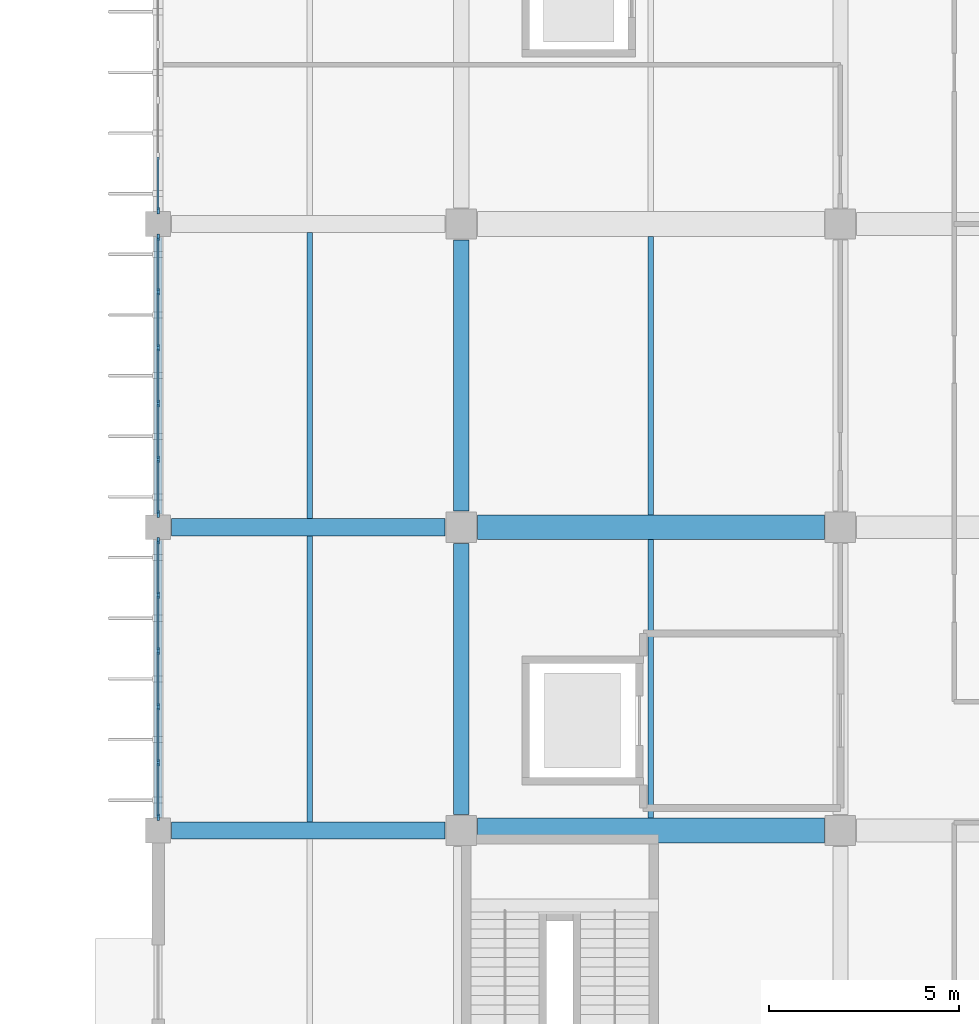
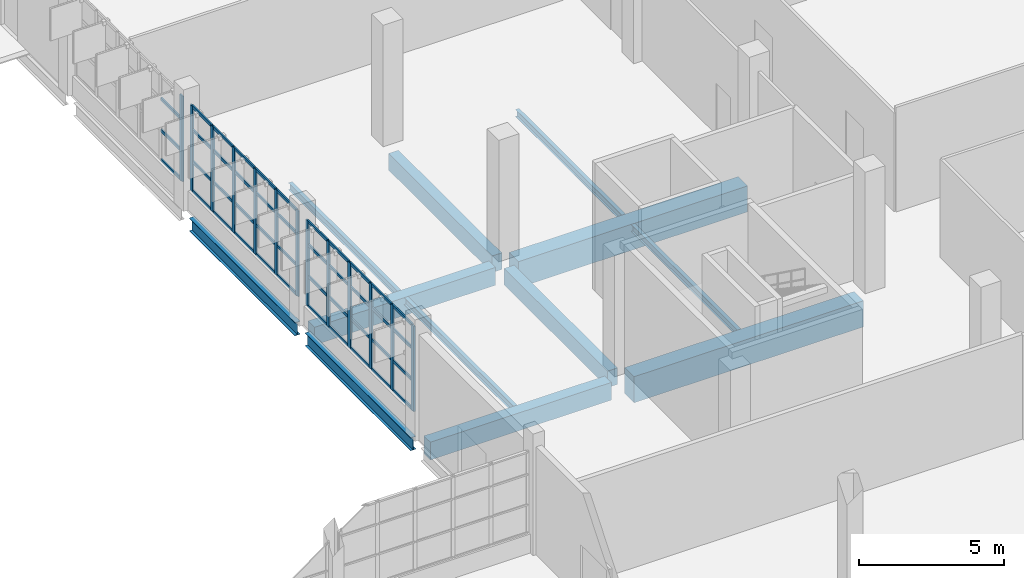
# One storey, part 44 of 103: 56 members, 12 beams, 3 elements without a shape of their own.
"""IFC4 building model written with IfcOpenShell, lengths in metres."""

from ifc_helpers import new_model, si_unit, direction, frame, origin, origin_2d, place, context, subcontext, project, spatial, rectangle, i_section, extrude, material, layer, layer_set, material_profile, profile_set, type_object, element, aggregate, save


model = new_model("IFC4")

# Units and contexts
model_context = context("Model", 3, precision=1e-05, world=origin(), true_north=direction((0.0, 1.0)))
body_context = subcontext(model_context, "Body", "Model", "MODEL_VIEW")
ifc_project = project(units=[si_unit("LENGTHUNIT", "METRE"), si_unit("AREAUNIT", "SQUARE_METRE"), si_unit("VOLUMEUNIT", "CUBIC_METRE"), si_unit("PLANEANGLEUNIT", "RADIAN"), si_unit("MASSUNIT", "GRAM", prefix="KILO")], contexts=[model_context])

# Site, building, storey
site_placement = place(None, origin())
site = spatial("IfcSite", under=ifc_project, at=site_placement, CompositionType="ELEMENT")
building_placement = place(site_placement, origin())
building = spatial("IfcBuilding", under=site, at=building_placement, Name="Drelvana Railside Aquatics Centre", CompositionType="ELEMENT")
storey_placement = place(building_placement, origin())
storey = spatial("IfcBuildingStorey", under=building, at=storey_placement, Name="L00", CompositionType="ELEMENT", Elevation=0.0)

# Curtain wall, members
ifc_material_1 = material(Name="Bronze-anodised aluminium curtain wall", Category="aluminium")
ifc_layer = layer(ifc_material_1, 0.175048828125, Name="Bronze-anodised aluminium curtain wall")
ifc_layer_set = layer_set([ifc_layer], Name="Bronze-anodised aluminium curtain wall")
curtain_wall_type = type_object("IfcCurtainWallType", Name="CW-Z6-WING", PredefinedType="NOTDEFINED", material=ifc_layer_set)
curtain_wall_1_placement = place(storey_placement, origin())
curtain_wall_1 = element("IfcCurtainWall", 1, at=curtain_wall_1_placement, inside=storey, type_object=curtain_wall_type, Name="Curtain wall CW-06-140", PredefinedType="NOTDEFINED")
ifc_material_2 = material(Name="Bronze-anodised aluminium 6063-T6", Category="aluminium")
ifc_material_profile_1 = material_profile(ifc_material_2, rectangle(XDim=0.06494140625, YDim=0.175048828125, at=origin_2d()), Name="ALU-M 65x175")
ifc_profile_set_1 = profile_set([ifc_material_profile_1], Name="Bronze-anodised aluminium 6063-T6")
member_type_1 = type_object("IfcMemberType", Name="CW-Z6-WING-MUL", PredefinedType="MULLION", material=ifc_profile_set_1)
member_1_placement = place(storey_placement, frame((144.0, 32.3515625, 0.7939453125), z_axis=(0.0, 0.0, 1.0), x_axis=(-1.0, 0.0, 0.0)))
member_1 = element("IfcMember", 2, at=member_1_placement, type_object=member_type_1, Name="CW-06 mullion 1", PredefinedType="MULLION", context=body_context, shape_type="SweptSolid", body=[
    extrude(rectangle(XDim=0.06494140625, YDim=0.175048828125, at=origin_2d()), origin(), (0.0, 0.0, 1.0), 3.60595703125),
])
member_2_placement = place(storey_placement, frame((144.0, 33.79150390625, 0.7939453125), z_axis=(0.0, 0.0, 1.0), x_axis=(-1.0, 0.0, 0.0)))
member_2 = element("IfcMember", 3, at=member_2_placement, type_object=member_type_1, Name="CW-06 mullion 2", PredefinedType="MULLION", context=body_context, shape_type="SweptSolid", body=[
    extrude(rectangle(XDim=0.06494140625, YDim=0.175048828125, at=origin_2d()), origin(), (0.0, 0.0, 1.0), 3.60595703125),
])
member_3_placement = place(storey_placement, frame((144.0, 35.263916015625, 0.7939453125), z_axis=(0.0, 0.0, 1.0), x_axis=(-1.0, 0.0, 0.0)))
member_3 = element("IfcMember", 4, at=member_3_placement, type_object=member_type_1, Name="CW-06 mullion 3", PredefinedType="MULLION", context=body_context, shape_type="SweptSolid", body=[
    extrude(rectangle(XDim=0.06494140625, YDim=0.175048828125, at=origin_2d()), origin(), (0.0, 0.0, 1.0), 3.60595703125),
])
member_4_placement = place(storey_placement, frame((144.0, 36.736083984375, 0.7939453125), z_axis=(0.0, 0.0, 1.0), x_axis=(-1.0, 0.0, 0.0)))
member_4 = element("IfcMember", 5, at=member_4_placement, type_object=member_type_1, Name="CW-06 mullion 4", PredefinedType="MULLION", context=body_context, shape_type="SweptSolid", body=[
    extrude(rectangle(XDim=0.06494140625, YDim=0.175048828125, at=origin_2d()), origin(), (0.0, 0.0, 1.0), 3.60595703125),
])
member_5_placement = place(storey_placement, frame((144.0, 38.20849609375, 0.7939453125), z_axis=(0.0, 0.0, 1.0), x_axis=(-1.0, 0.0, 0.0)))
member_5 = element("IfcMember", 6, at=member_5_placement, type_object=member_type_1, Name="CW-06 mullion 5", PredefinedType="MULLION", context=body_context, shape_type="SweptSolid", body=[
    extrude(rectangle(XDim=0.06494140625, YDim=0.175048828125, at=origin_2d()), origin(), (0.0, 0.0, 1.0), 3.60595703125),
])
member_6_placement = place(storey_placement, frame((144.0, 39.6484375, 0.7939453125), z_axis=(0.0, 0.0, 1.0), x_axis=(-1.0, 0.0, 0.0)))
member_6 = element("IfcMember", 7, at=member_6_placement, type_object=member_type_1, Name="CW-06 mullion 6", PredefinedType="MULLION", context=body_context, shape_type="SweptSolid", body=[
    extrude(rectangle(XDim=0.06494140625, YDim=0.175048828125, at=origin_2d()), origin(), (0.0, 0.0, 1.0), 3.60595703125),
])

curtain_wall_2_placement = place(storey_placement, origin())
curtain_wall_2 = element("IfcCurtainWall", 8, at=curtain_wall_2_placement, inside=storey, type_object=curtain_wall_type, Name="Curtain wall CW-06-144", PredefinedType="NOTDEFINED")
member_7_placement = place(storey_placement, frame((144.0, 40.3515625, 0.7939453125), z_axis=(0.0, 0.0, 1.0), x_axis=(-1.0, 0.0, 0.0)))
member_7 = element("IfcMember", 9, at=member_7_placement, type_object=member_type_1, Name="CW-06 mullion 1", PredefinedType="MULLION", context=body_context, shape_type="SweptSolid", body=[
    extrude(rectangle(XDim=0.06494140625, YDim=0.175048828125, at=origin_2d()), origin(), (0.0, 0.0, 1.0), 3.60595703125),
])
member_8_placement = place(storey_placement, frame((144.0, 41.79150390625, 0.7939453125), z_axis=(0.0, 0.0, 1.0), x_axis=(-1.0, 0.0, 0.0)))
member_8 = element("IfcMember", 10, at=member_8_placement, type_object=member_type_1, Name="CW-06 mullion 2", PredefinedType="MULLION", context=body_context, shape_type="SweptSolid", body=[
    extrude(rectangle(XDim=0.06494140625, YDim=0.175048828125, at=origin_2d()), origin(), (0.0, 0.0, 1.0), 3.60595703125),
])
member_9_placement = place(storey_placement, frame((144.0, 43.263916015625, 0.7939453125), z_axis=(0.0, 0.0, 1.0), x_axis=(-1.0, 0.0, 0.0)))
member_9 = element("IfcMember", 11, at=member_9_placement, type_object=member_type_1, Name="CW-06 mullion 3", PredefinedType="MULLION", context=body_context, shape_type="SweptSolid", body=[
    extrude(rectangle(XDim=0.06494140625, YDim=0.175048828125, at=origin_2d()), origin(), (0.0, 0.0, 1.0), 3.60595703125),
])
member_10_placement = place(storey_placement, frame((144.0, 44.736083984375, 0.7939453125), z_axis=(0.0, 0.0, 1.0), x_axis=(-1.0, 0.0, 0.0)))
member_10 = element("IfcMember", 12, at=member_10_placement, type_object=member_type_1, Name="CW-06 mullion 4", PredefinedType="MULLION", context=body_context, shape_type="SweptSolid", body=[
    extrude(rectangle(XDim=0.06494140625, YDim=0.175048828125, at=origin_2d()), origin(), (0.0, 0.0, 1.0), 3.60595703125),
])
member_11_placement = place(storey_placement, frame((144.0, 46.20849609375, 0.7939453125), z_axis=(0.0, 0.0, 1.0), x_axis=(-1.0, 0.0, 0.0)))
member_11 = element("IfcMember", 13, at=member_11_placement, type_object=member_type_1, Name="CW-06 mullion 5", PredefinedType="MULLION", context=body_context, shape_type="SweptSolid", body=[
    extrude(rectangle(XDim=0.06494140625, YDim=0.175048828125, at=origin_2d()), origin(), (0.0, 0.0, 1.0), 3.60595703125),
])
member_12_placement = place(storey_placement, frame((144.0, 47.6484375, 0.7939453125), z_axis=(0.0, 0.0, 1.0), x_axis=(-1.0, 0.0, 0.0)))
member_12 = element("IfcMember", 14, at=member_12_placement, type_object=member_type_1, Name="CW-06 mullion 6", PredefinedType="MULLION", context=body_context, shape_type="SweptSolid", body=[
    extrude(rectangle(XDim=0.06494140625, YDim=0.175048828125, at=origin_2d()), origin(), (0.0, 0.0, 1.0), 3.60595703125),
])

# Curtain wall, member
curtain_wall_3_placement = place(storey_placement, origin())
curtain_wall_3 = element("IfcCurtainWall", 15, at=curtain_wall_3_placement, inside=storey, type_object=curtain_wall_type, Name="Curtain wall CW-06-148", PredefinedType="NOTDEFINED")
member_13_placement = place(storey_placement, frame((144.0, 48.3515625, 0.7939453125), z_axis=(0.0, 0.0, 1.0), x_axis=(-1.0, 0.0, 0.0)))
member_13 = element("IfcMember", 16, at=member_13_placement, type_object=member_type_1, Name="CW-06 mullion 1", PredefinedType="MULLION", context=body_context, shape_type="SweptSolid", body=[
    extrude(rectangle(XDim=0.06494140625, YDim=0.175048828125, at=origin_2d()), origin(), (0.0, 0.0, 1.0), 3.60595703125),
])

# Member
ifc_material_profile_2 = material_profile(ifc_material_2, rectangle(XDim=0.1201171875, YDim=0.06005859375, at=origin_2d()), Name="ALU-T 60x120")
ifc_profile_set_2 = profile_set([ifc_material_profile_2], Name="Bronze-anodised aluminium 6063-T6")
member_type_2 = type_object("IfcMemberType", Name="CW-Z6-WING-TRN", PredefinedType="USERDEFINED", material=ifc_profile_set_2)
member_14_placement = place(storey_placement, frame((144.0, 32.37890625, 0.823974609375), z_axis=(0.0, 1.0, 0.0), x_axis=(0.0, 0.0, 1.0)))
member_14 = element("IfcMember", 17, at=member_14_placement, type_object=member_type_2, Name="CW-06 transom 1.1", ObjectType="TRANSOM", PredefinedType="USERDEFINED", context=body_context, shape_type="SweptSolid", body=[
    extrude(rectangle(XDim=0.1201171875, YDim=0.06005859375, at=origin_2d()), origin(), (0.0, 0.0, 1.0), 1.385009765625),
])

member_15_placement = place(storey_placement, frame((144.0, 32.37890625, 2.055908203125), z_axis=(0.0, 1.0, 0.0), x_axis=(0.0, 0.0, 1.0)))
member_15 = element("IfcMember", 18, at=member_15_placement, type_object=member_type_2, Name="CW-06 transom 1.2", ObjectType="TRANSOM", PredefinedType="USERDEFINED", context=body_context, shape_type="SweptSolid", body=[
    extrude(rectangle(XDim=0.1201171875, YDim=0.06005859375, at=origin_2d()), origin(), (0.0, 0.0, 1.0), 1.385009765625),
])

member_16_placement = place(storey_placement, frame((144.0, 32.37890625, 3.389892578125), z_axis=(0.0, 1.0, 0.0), x_axis=(0.0, 0.0, 1.0)))
member_16 = element("IfcMember", 19, at=member_16_placement, type_object=member_type_2, Name="CW-06 transom 1.3", ObjectType="TRANSOM", PredefinedType="USERDEFINED", context=body_context, shape_type="SweptSolid", body=[
    extrude(rectangle(XDim=0.1201171875, YDim=0.06005859375, at=origin_2d()), origin(), (0.0, 0.0, 1.0), 1.385009765625),
])

member_17_placement = place(storey_placement, frame((144.0, 32.37890625, 4.3701171875), z_axis=(0.0, 1.0, 0.0), x_axis=(0.0, 0.0, 1.0)))
member_17 = element("IfcMember", 20, at=member_17_placement, type_object=member_type_2, Name="CW-06 transom 1.4", ObjectType="TRANSOM", PredefinedType="USERDEFINED", context=body_context, shape_type="SweptSolid", body=[
    extrude(rectangle(XDim=0.1201171875, YDim=0.06005859375, at=origin_2d()), origin(), (0.0, 0.0, 1.0), 1.385009765625),
])

member_18_placement = place(storey_placement, frame((144.0, 33.81884765625, 0.823974609375), z_axis=(0.0, 1.0, 0.0), x_axis=(0.0, 0.0, 1.0)))
member_18 = element("IfcMember", 21, at=member_18_placement, type_object=member_type_2, Name="CW-06 transom 2.1", ObjectType="TRANSOM", PredefinedType="USERDEFINED", context=body_context, shape_type="SweptSolid", body=[
    extrude(rectangle(XDim=0.1201171875, YDim=0.06005859375, at=origin_2d()), origin(), (0.0, 0.0, 1.0), 1.41748046875),
])

member_19_placement = place(storey_placement, frame((144.0, 33.81884765625, 2.055908203125), z_axis=(0.0, 1.0, 0.0), x_axis=(0.0, 0.0, 1.0)))
member_19 = element("IfcMember", 22, at=member_19_placement, type_object=member_type_2, Name="CW-06 transom 2.2", ObjectType="TRANSOM", PredefinedType="USERDEFINED", context=body_context, shape_type="SweptSolid", body=[
    extrude(rectangle(XDim=0.1201171875, YDim=0.06005859375, at=origin_2d()), origin(), (0.0, 0.0, 1.0), 1.41748046875),
])

member_20_placement = place(storey_placement, frame((144.0, 33.81884765625, 3.389892578125), z_axis=(0.0, 1.0, 0.0), x_axis=(0.0, 0.0, 1.0)))
member_20 = element("IfcMember", 23, at=member_20_placement, type_object=member_type_2, Name="CW-06 transom 2.3", ObjectType="TRANSOM", PredefinedType="USERDEFINED", context=body_context, shape_type="SweptSolid", body=[
    extrude(rectangle(XDim=0.1201171875, YDim=0.06005859375, at=origin_2d()), origin(), (0.0, 0.0, 1.0), 1.41748046875),
])

member_21_placement = place(storey_placement, frame((144.0, 33.81884765625, 4.3701171875), z_axis=(0.0, 1.0, 0.0), x_axis=(0.0, 0.0, 1.0)))
member_21 = element("IfcMember", 24, at=member_21_placement, type_object=member_type_2, Name="CW-06 transom 2.4", ObjectType="TRANSOM", PredefinedType="USERDEFINED", context=body_context, shape_type="SweptSolid", body=[
    extrude(rectangle(XDim=0.1201171875, YDim=0.06005859375, at=origin_2d()), origin(), (0.0, 0.0, 1.0), 1.41748046875),
])

member_22_placement = place(storey_placement, frame((144.0, 35.291259765625, 0.823974609375), z_axis=(0.0, 1.0, 0.0), x_axis=(0.0, 0.0, 1.0)))
member_22 = element("IfcMember", 25, at=member_22_placement, type_object=member_type_2, Name="CW-06 transom 3.1", ObjectType="TRANSOM", PredefinedType="USERDEFINED", context=body_context, shape_type="SweptSolid", body=[
    extrude(rectangle(XDim=0.1201171875, YDim=0.06005859375, at=origin_2d()), origin(), (0.0, 0.0, 1.0), 1.41748046875),
])

member_23_placement = place(storey_placement, frame((144.0, 35.291259765625, 2.055908203125), z_axis=(0.0, 1.0, 0.0), x_axis=(0.0, 0.0, 1.0)))
member_23 = element("IfcMember", 26, at=member_23_placement, type_object=member_type_2, Name="CW-06 transom 3.2", ObjectType="TRANSOM", PredefinedType="USERDEFINED", context=body_context, shape_type="SweptSolid", body=[
    extrude(rectangle(XDim=0.1201171875, YDim=0.06005859375, at=origin_2d()), origin(), (0.0, 0.0, 1.0), 1.41748046875),
])

member_24_placement = place(storey_placement, frame((144.0, 35.291259765625, 3.389892578125), z_axis=(0.0, 1.0, 0.0), x_axis=(0.0, 0.0, 1.0)))
member_24 = element("IfcMember", 27, at=member_24_placement, type_object=member_type_2, Name="CW-06 transom 3.3", ObjectType="TRANSOM", PredefinedType="USERDEFINED", context=body_context, shape_type="SweptSolid", body=[
    extrude(rectangle(XDim=0.1201171875, YDim=0.06005859375, at=origin_2d()), origin(), (0.0, 0.0, 1.0), 1.41748046875),
])

member_25_placement = place(storey_placement, frame((144.0, 35.291259765625, 4.3701171875), z_axis=(0.0, 1.0, 0.0), x_axis=(0.0, 0.0, 1.0)))
member_25 = element("IfcMember", 28, at=member_25_placement, type_object=member_type_2, Name="CW-06 transom 3.4", ObjectType="TRANSOM", PredefinedType="USERDEFINED", context=body_context, shape_type="SweptSolid", body=[
    extrude(rectangle(XDim=0.1201171875, YDim=0.06005859375, at=origin_2d()), origin(), (0.0, 0.0, 1.0), 1.41748046875),
])

member_26_placement = place(storey_placement, frame((144.0, 36.763671875, 0.823974609375), z_axis=(0.0, 1.0, 0.0), x_axis=(0.0, 0.0, 1.0)))
member_26 = element("IfcMember", 29, at=member_26_placement, type_object=member_type_2, Name="CW-06 transom 4.1", ObjectType="TRANSOM", PredefinedType="USERDEFINED", context=body_context, shape_type="SweptSolid", body=[
    extrude(rectangle(XDim=0.1201171875, YDim=0.06005859375, at=origin_2d()), origin(), (0.0, 0.0, 1.0), 1.41748046875),
])

member_27_placement = place(storey_placement, frame((144.0, 36.763671875, 2.055908203125), z_axis=(0.0, 1.0, 0.0), x_axis=(0.0, 0.0, 1.0)))
member_27 = element("IfcMember", 30, at=member_27_placement, type_object=member_type_2, Name="CW-06 transom 4.2", ObjectType="TRANSOM", PredefinedType="USERDEFINED", context=body_context, shape_type="SweptSolid", body=[
    extrude(rectangle(XDim=0.1201171875, YDim=0.06005859375, at=origin_2d()), origin(), (0.0, 0.0, 1.0), 1.41748046875),
])

member_28_placement = place(storey_placement, frame((144.0, 36.763671875, 3.389892578125), z_axis=(0.0, 1.0, 0.0), x_axis=(0.0, 0.0, 1.0)))
member_28 = element("IfcMember", 31, at=member_28_placement, type_object=member_type_2, Name="CW-06 transom 4.3", ObjectType="TRANSOM", PredefinedType="USERDEFINED", context=body_context, shape_type="SweptSolid", body=[
    extrude(rectangle(XDim=0.1201171875, YDim=0.06005859375, at=origin_2d()), origin(), (0.0, 0.0, 1.0), 1.41748046875),
])

member_29_placement = place(storey_placement, frame((144.0, 36.763671875, 4.3701171875), z_axis=(0.0, 1.0, 0.0), x_axis=(0.0, 0.0, 1.0)))
member_29 = element("IfcMember", 32, at=member_29_placement, type_object=member_type_2, Name="CW-06 transom 4.4", ObjectType="TRANSOM", PredefinedType="USERDEFINED", context=body_context, shape_type="SweptSolid", body=[
    extrude(rectangle(XDim=0.1201171875, YDim=0.06005859375, at=origin_2d()), origin(), (0.0, 0.0, 1.0), 1.41748046875),
])

member_30_placement = place(storey_placement, frame((144.0, 38.236083984375, 0.823974609375), z_axis=(0.0, 1.0, 0.0), x_axis=(0.0, 0.0, 1.0)))
member_30 = element("IfcMember", 33, at=member_30_placement, type_object=member_type_2, Name="CW-06 transom 5.1", ObjectType="TRANSOM", PredefinedType="USERDEFINED", context=body_context, shape_type="SweptSolid", body=[
    extrude(rectangle(XDim=0.1201171875, YDim=0.06005859375, at=origin_2d()), origin(), (0.0, 0.0, 1.0), 1.385009765625),
])

member_31_placement = place(storey_placement, frame((144.0, 38.236083984375, 2.055908203125), z_axis=(0.0, 1.0, 0.0), x_axis=(0.0, 0.0, 1.0)))
member_31 = element("IfcMember", 34, at=member_31_placement, type_object=member_type_2, Name="CW-06 transom 5.2", ObjectType="TRANSOM", PredefinedType="USERDEFINED", context=body_context, shape_type="SweptSolid", body=[
    extrude(rectangle(XDim=0.1201171875, YDim=0.06005859375, at=origin_2d()), origin(), (0.0, 0.0, 1.0), 1.385009765625),
])

member_32_placement = place(storey_placement, frame((144.0, 38.236083984375, 3.389892578125), z_axis=(0.0, 1.0, 0.0), x_axis=(0.0, 0.0, 1.0)))
member_32 = element("IfcMember", 35, at=member_32_placement, type_object=member_type_2, Name="CW-06 transom 5.3", ObjectType="TRANSOM", PredefinedType="USERDEFINED", context=body_context, shape_type="SweptSolid", body=[
    extrude(rectangle(XDim=0.1201171875, YDim=0.06005859375, at=origin_2d()), origin(), (0.0, 0.0, 1.0), 1.385009765625),
])

member_33_placement = place(storey_placement, frame((144.0, 38.236083984375, 4.3701171875), z_axis=(0.0, 1.0, 0.0), x_axis=(0.0, 0.0, 1.0)))
member_33 = element("IfcMember", 36, at=member_33_placement, type_object=member_type_2, Name="CW-06 transom 5.4", ObjectType="TRANSOM", PredefinedType="USERDEFINED", context=body_context, shape_type="SweptSolid", body=[
    extrude(rectangle(XDim=0.1201171875, YDim=0.06005859375, at=origin_2d()), origin(), (0.0, 0.0, 1.0), 1.385009765625),
])

aggregate(curtain_wall_1, [member_1, member_2, member_3, member_4, member_5, member_6, member_14, member_15, member_16, member_17, member_18, member_19, member_20, member_21, member_22, member_23, member_24, member_25, member_26, member_27, member_28, member_29, member_30, member_31, member_32, member_33])

member_34_placement = place(storey_placement, frame((144.0, 40.37890625, 0.823974609375), z_axis=(0.0, 1.0, 0.0), x_axis=(0.0, 0.0, 1.0)))
member_34 = element("IfcMember", 37, at=member_34_placement, type_object=member_type_2, Name="CW-06 transom 1.1", ObjectType="TRANSOM", PredefinedType="USERDEFINED", context=body_context, shape_type="SweptSolid", body=[
    extrude(rectangle(XDim=0.1201171875, YDim=0.06005859375, at=origin_2d()), origin(), (0.0, 0.0, 1.0), 1.385009765625),
])

member_35_placement = place(storey_placement, frame((144.0, 40.37890625, 2.055908203125), z_axis=(0.0, 1.0, 0.0), x_axis=(0.0, 0.0, 1.0)))
member_35 = element("IfcMember", 38, at=member_35_placement, type_object=member_type_2, Name="CW-06 transom 1.2", ObjectType="TRANSOM", PredefinedType="USERDEFINED", context=body_context, shape_type="SweptSolid", body=[
    extrude(rectangle(XDim=0.1201171875, YDim=0.06005859375, at=origin_2d()), origin(), (0.0, 0.0, 1.0), 1.385009765625),
])

member_36_placement = place(storey_placement, frame((144.0, 40.37890625, 3.389892578125), z_axis=(0.0, 1.0, 0.0), x_axis=(0.0, 0.0, 1.0)))
member_36 = element("IfcMember", 39, at=member_36_placement, type_object=member_type_2, Name="CW-06 transom 1.3", ObjectType="TRANSOM", PredefinedType="USERDEFINED", context=body_context, shape_type="SweptSolid", body=[
    extrude(rectangle(XDim=0.1201171875, YDim=0.06005859375, at=origin_2d()), origin(), (0.0, 0.0, 1.0), 1.385009765625),
])

member_37_placement = place(storey_placement, frame((144.0, 40.37890625, 4.3701171875), z_axis=(0.0, 1.0, 0.0), x_axis=(0.0, 0.0, 1.0)))
member_37 = element("IfcMember", 40, at=member_37_placement, type_object=member_type_2, Name="CW-06 transom 1.4", ObjectType="TRANSOM", PredefinedType="USERDEFINED", context=body_context, shape_type="SweptSolid", body=[
    extrude(rectangle(XDim=0.1201171875, YDim=0.06005859375, at=origin_2d()), origin(), (0.0, 0.0, 1.0), 1.385009765625),
])

member_38_placement = place(storey_placement, frame((144.0, 41.81884765625, 0.823974609375), z_axis=(0.0, 1.0, 0.0), x_axis=(0.0, 0.0, 1.0)))
member_38 = element("IfcMember", 41, at=member_38_placement, type_object=member_type_2, Name="CW-06 transom 2.1", ObjectType="TRANSOM", PredefinedType="USERDEFINED", context=body_context, shape_type="SweptSolid", body=[
    extrude(rectangle(XDim=0.1201171875, YDim=0.06005859375, at=origin_2d()), origin(), (0.0, 0.0, 1.0), 1.41748046875),
])

member_39_placement = place(storey_placement, frame((144.0, 41.81884765625, 2.055908203125), z_axis=(0.0, 1.0, 0.0), x_axis=(0.0, 0.0, 1.0)))
member_39 = element("IfcMember", 42, at=member_39_placement, type_object=member_type_2, Name="CW-06 transom 2.2", ObjectType="TRANSOM", PredefinedType="USERDEFINED", context=body_context, shape_type="SweptSolid", body=[
    extrude(rectangle(XDim=0.1201171875, YDim=0.06005859375, at=origin_2d()), origin(), (0.0, 0.0, 1.0), 1.41748046875),
])

member_40_placement = place(storey_placement, frame((144.0, 41.81884765625, 3.389892578125), z_axis=(0.0, 1.0, 0.0), x_axis=(0.0, 0.0, 1.0)))
member_40 = element("IfcMember", 43, at=member_40_placement, type_object=member_type_2, Name="CW-06 transom 2.3", ObjectType="TRANSOM", PredefinedType="USERDEFINED", context=body_context, shape_type="SweptSolid", body=[
    extrude(rectangle(XDim=0.1201171875, YDim=0.06005859375, at=origin_2d()), origin(), (0.0, 0.0, 1.0), 1.41748046875),
])

member_41_placement = place(storey_placement, frame((144.0, 41.81884765625, 4.3701171875), z_axis=(0.0, 1.0, 0.0), x_axis=(0.0, 0.0, 1.0)))
member_41 = element("IfcMember", 44, at=member_41_placement, type_object=member_type_2, Name="CW-06 transom 2.4", ObjectType="TRANSOM", PredefinedType="USERDEFINED", context=body_context, shape_type="SweptSolid", body=[
    extrude(rectangle(XDim=0.1201171875, YDim=0.06005859375, at=origin_2d()), origin(), (0.0, 0.0, 1.0), 1.41748046875),
])

member_42_placement = place(storey_placement, frame((144.0, 43.291259765625, 0.823974609375), z_axis=(0.0, 1.0, 0.0), x_axis=(0.0, 0.0, 1.0)))
member_42 = element("IfcMember", 45, at=member_42_placement, type_object=member_type_2, Name="CW-06 transom 3.1", ObjectType="TRANSOM", PredefinedType="USERDEFINED", context=body_context, shape_type="SweptSolid", body=[
    extrude(rectangle(XDim=0.1201171875, YDim=0.06005859375, at=origin_2d()), origin(), (0.0, 0.0, 1.0), 1.41748046875),
])

member_43_placement = place(storey_placement, frame((144.0, 43.291259765625, 2.055908203125), z_axis=(0.0, 1.0, 0.0), x_axis=(0.0, 0.0, 1.0)))
member_43 = element("IfcMember", 46, at=member_43_placement, type_object=member_type_2, Name="CW-06 transom 3.2", ObjectType="TRANSOM", PredefinedType="USERDEFINED", context=body_context, shape_type="SweptSolid", body=[
    extrude(rectangle(XDim=0.1201171875, YDim=0.06005859375, at=origin_2d()), origin(), (0.0, 0.0, 1.0), 1.41748046875),
])

member_44_placement = place(storey_placement, frame((144.0, 43.291259765625, 3.389892578125), z_axis=(0.0, 1.0, 0.0), x_axis=(0.0, 0.0, 1.0)))
member_44 = element("IfcMember", 47, at=member_44_placement, type_object=member_type_2, Name="CW-06 transom 3.3", ObjectType="TRANSOM", PredefinedType="USERDEFINED", context=body_context, shape_type="SweptSolid", body=[
    extrude(rectangle(XDim=0.1201171875, YDim=0.06005859375, at=origin_2d()), origin(), (0.0, 0.0, 1.0), 1.41748046875),
])

member_45_placement = place(storey_placement, frame((144.0, 43.291259765625, 4.3701171875), z_axis=(0.0, 1.0, 0.0), x_axis=(0.0, 0.0, 1.0)))
member_45 = element("IfcMember", 48, at=member_45_placement, type_object=member_type_2, Name="CW-06 transom 3.4", ObjectType="TRANSOM", PredefinedType="USERDEFINED", context=body_context, shape_type="SweptSolid", body=[
    extrude(rectangle(XDim=0.1201171875, YDim=0.06005859375, at=origin_2d()), origin(), (0.0, 0.0, 1.0), 1.41748046875),
])

member_46_placement = place(storey_placement, frame((144.0, 44.763671875, 0.823974609375), z_axis=(0.0, 1.0, 0.0), x_axis=(0.0, 0.0, 1.0)))
member_46 = element("IfcMember", 49, at=member_46_placement, type_object=member_type_2, Name="CW-06 transom 4.1", ObjectType="TRANSOM", PredefinedType="USERDEFINED", context=body_context, shape_type="SweptSolid", body=[
    extrude(rectangle(XDim=0.1201171875, YDim=0.06005859375, at=origin_2d()), origin(), (0.0, 0.0, 1.0), 1.41748046875),
])

member_47_placement = place(storey_placement, frame((144.0, 44.763671875, 2.055908203125), z_axis=(0.0, 1.0, 0.0), x_axis=(0.0, 0.0, 1.0)))
member_47 = element("IfcMember", 50, at=member_47_placement, type_object=member_type_2, Name="CW-06 transom 4.2", ObjectType="TRANSOM", PredefinedType="USERDEFINED", context=body_context, shape_type="SweptSolid", body=[
    extrude(rectangle(XDim=0.1201171875, YDim=0.06005859375, at=origin_2d()), origin(), (0.0, 0.0, 1.0), 1.41748046875),
])

member_48_placement = place(storey_placement, frame((144.0, 44.763671875, 3.389892578125), z_axis=(0.0, 1.0, 0.0), x_axis=(0.0, 0.0, 1.0)))
member_48 = element("IfcMember", 51, at=member_48_placement, type_object=member_type_2, Name="CW-06 transom 4.3", ObjectType="TRANSOM", PredefinedType="USERDEFINED", context=body_context, shape_type="SweptSolid", body=[
    extrude(rectangle(XDim=0.1201171875, YDim=0.06005859375, at=origin_2d()), origin(), (0.0, 0.0, 1.0), 1.41748046875),
])

member_49_placement = place(storey_placement, frame((144.0, 44.763671875, 4.3701171875), z_axis=(0.0, 1.0, 0.0), x_axis=(0.0, 0.0, 1.0)))
member_49 = element("IfcMember", 52, at=member_49_placement, type_object=member_type_2, Name="CW-06 transom 4.4", ObjectType="TRANSOM", PredefinedType="USERDEFINED", context=body_context, shape_type="SweptSolid", body=[
    extrude(rectangle(XDim=0.1201171875, YDim=0.06005859375, at=origin_2d()), origin(), (0.0, 0.0, 1.0), 1.41748046875),
])

member_50_placement = place(storey_placement, frame((144.0, 46.236083984375, 0.823974609375), z_axis=(0.0, 1.0, 0.0), x_axis=(0.0, 0.0, 1.0)))
member_50 = element("IfcMember", 53, at=member_50_placement, type_object=member_type_2, Name="CW-06 transom 5.1", ObjectType="TRANSOM", PredefinedType="USERDEFINED", context=body_context, shape_type="SweptSolid", body=[
    extrude(rectangle(XDim=0.1201171875, YDim=0.06005859375, at=origin_2d()), origin(), (0.0, 0.0, 1.0), 1.385009765625),
])

member_51_placement = place(storey_placement, frame((144.0, 46.236083984375, 2.055908203125), z_axis=(0.0, 1.0, 0.0), x_axis=(0.0, 0.0, 1.0)))
member_51 = element("IfcMember", 54, at=member_51_placement, type_object=member_type_2, Name="CW-06 transom 5.2", ObjectType="TRANSOM", PredefinedType="USERDEFINED", context=body_context, shape_type="SweptSolid", body=[
    extrude(rectangle(XDim=0.1201171875, YDim=0.06005859375, at=origin_2d()), origin(), (0.0, 0.0, 1.0), 1.385009765625),
])

member_52_placement = place(storey_placement, frame((144.0, 46.236083984375, 3.389892578125), z_axis=(0.0, 1.0, 0.0), x_axis=(0.0, 0.0, 1.0)))
member_52 = element("IfcMember", 55, at=member_52_placement, type_object=member_type_2, Name="CW-06 transom 5.3", ObjectType="TRANSOM", PredefinedType="USERDEFINED", context=body_context, shape_type="SweptSolid", body=[
    extrude(rectangle(XDim=0.1201171875, YDim=0.06005859375, at=origin_2d()), origin(), (0.0, 0.0, 1.0), 1.385009765625),
])

member_53_placement = place(storey_placement, frame((144.0, 46.236083984375, 4.3701171875), z_axis=(0.0, 1.0, 0.0), x_axis=(0.0, 0.0, 1.0)))
member_53 = element("IfcMember", 56, at=member_53_placement, type_object=member_type_2, Name="CW-06 transom 5.4", ObjectType="TRANSOM", PredefinedType="USERDEFINED", context=body_context, shape_type="SweptSolid", body=[
    extrude(rectangle(XDim=0.1201171875, YDim=0.06005859375, at=origin_2d()), origin(), (0.0, 0.0, 1.0), 1.385009765625),
])

aggregate(curtain_wall_2, [member_7, member_8, member_9, member_10, member_11, member_12, member_34, member_35, member_36, member_37, member_38, member_39, member_40, member_41, member_42, member_43, member_44, member_45, member_46, member_47, member_48, member_49, member_50, member_51, member_52, member_53])

member_54_placement = place(storey_placement, frame((144.0, 48.37890625, 0.823974609375), z_axis=(0.0, 1.0, 0.0), x_axis=(0.0, 0.0, 1.0)))
member_54 = element("IfcMember", 57, at=member_54_placement, type_object=member_type_2, Name="CW-06 transom 1.1", ObjectType="TRANSOM", PredefinedType="USERDEFINED", context=body_context, shape_type="SweptSolid", body=[
    extrude(rectangle(XDim=0.1201171875, YDim=0.06005859375, at=origin_2d()), origin(), (0.0, 0.0, 1.0), 1.385009765625),
])

member_55_placement = place(storey_placement, frame((144.0, 48.37890625, 2.055908203125), z_axis=(0.0, 1.0, 0.0), x_axis=(0.0, 0.0, 1.0)))
member_55 = element("IfcMember", 58, at=member_55_placement, type_object=member_type_2, Name="CW-06 transom 1.2", ObjectType="TRANSOM", PredefinedType="USERDEFINED", context=body_context, shape_type="SweptSolid", body=[
    extrude(rectangle(XDim=0.1201171875, YDim=0.06005859375, at=origin_2d()), origin(), (0.0, 0.0, 1.0), 1.385009765625),
])

member_56_placement = place(storey_placement, frame((144.0, 48.37890625, 3.389892578125), z_axis=(0.0, 1.0, 0.0), x_axis=(0.0, 0.0, 1.0)))
member_56 = element("IfcMember", 59, at=member_56_placement, type_object=member_type_2, Name="CW-06 transom 1.3", ObjectType="TRANSOM", PredefinedType="USERDEFINED", context=body_context, shape_type="SweptSolid", body=[
    extrude(rectangle(XDim=0.1201171875, YDim=0.06005859375, at=origin_2d()), origin(), (0.0, 0.0, 1.0), 1.385009765625),
])

aggregate(curtain_wall_3, [member_13, member_54, member_55, member_56])

# Beams
ifc_material_3 = material(Name="Concrete C40/50", Category="concrete")
ifc_material_profile_3 = material_profile(ifc_material_3, rectangle(XDim=0.39990234375, YDim=0.699951171875, at=origin_2d()), Name="RC 400x700")
ifc_profile_set_3 = profile_set([ifc_material_profile_3], Name="Concrete C40/50")
beam_type_1 = type_object("IfcBeamType", Name="STR-BM-BM-03-RC-400x700", PredefinedType="BEAM", material=ifc_profile_set_3)
for number, where, z_axis, x_axis, name in (
    (60, (152.0, 32.425048828125, -0.679931640625), (0.0, 1.0, 0.0), (-1.0, 0.0, 0.0), "Girder BM-03 (L00)"),
    (61, (152.0, 40.425048828125, -0.679931640625), (0.0, 1.0, 0.0), (-1.0, 0.0, 0.0), "Girder BM-03 (L00)"),
):
    element("IfcBeam", number, at=place(storey_placement, frame(where, z_axis=z_axis, x_axis=x_axis)), inside=storey, type_object=beam_type_1, Name=name, PredefinedType="BEAM", context=body_context, shape_type="SweptSolid", body=[
        extrude(rectangle(XDim=0.39990234375, YDim=0.699951171875, at=origin_2d()), origin(), (0.0, 0.0, 1.0), 7.14990234375),
    ])
ifc_material_profile_4 = material_profile(ifc_material_3, rectangle(XDim=0.449951171875, YDim=0.75, at=origin_2d()), Name="RC 450x750")
ifc_profile_set_4 = profile_set([ifc_material_profile_4], Name="Concrete C40/50")
beam_type_2 = type_object("IfcBeamType", Name="STR-BM-BM-04-RC-450x750", PredefinedType="BEAM", material=ifc_profile_set_4)
for number, where, z_axis, x_axis, name in (
    (62, (144.35009765625, 32.0, -0.705078125), (1.0, 0.0, 0.0), (0.0, 1.0, 0.0), "Girder BM-04 (L00)"),
    (63, (144.35009765625, 40.0, -0.705078125), (1.0, 0.0, 0.0), (0.0, 1.0, 0.0), "Girder BM-04 (L00)"),
):
    element("IfcBeam", number, at=place(storey_placement, frame(where, z_axis=z_axis, x_axis=x_axis)), inside=storey, type_object=beam_type_2, Name=name, PredefinedType="BEAM", context=body_context, shape_type="SweptSolid", body=[
        extrude(rectangle(XDim=0.449951171875, YDim=0.75, at=origin_2d()), origin(), (0.0, 0.0, 1.0), 7.224853515625),
    ])
ifc_material_profile_5 = material_profile(ifc_material_3, rectangle(XDim=0.64990234375, YDim=1.10009765625, at=origin_2d()), Name="RC 650x1100")
ifc_profile_set_5 = profile_set([ifc_material_profile_5], Name="Concrete C40/50")
beam_type_3 = type_object("IfcBeamType", Name="STR-BM-BM-10-RC-650x1100", PredefinedType="BEAM", material=ifc_profile_set_5)
for number, where, z_axis, x_axis, name in (
    (64, (152.425048828125, 32.0, -0.8798828125), (1.0, 0.0, 0.0), (0.0, 1.0, 0.0), "Girder BM-10 (L00)"),
    (65, (152.425048828125, 40.0, -0.8798828125), (1.0, 0.0, 0.0), (0.0, 1.0, 0.0), "Girder BM-10 (L00)"),
):
    element("IfcBeam", number, at=place(storey_placement, frame(where, z_axis=z_axis, x_axis=x_axis)), inside=storey, type_object=beam_type_3, Name=name, PredefinedType="BEAM", context=body_context, shape_type="SweptSolid", body=[
        extrude(rectangle(XDim=0.64990234375, YDim=1.10009765625, at=origin_2d()), origin(), (0.0, 0.0, 1.0), 9.14990234375),
    ])
ifc_material_4 = material(Name="Structural steel S355", Category="steel")
ifc_material_profile_6 = material_profile(ifc_material_4, i_section(OverallWidth=0.2099609375, OverallDepth=0.550048828125, WebThickness=0.010986328125, FlangeThickness=0.01708984375, at=origin_2d()), Name="IPE 550")
ifc_profile_set_6 = profile_set([ifc_material_profile_6], Name="Structural steel S355")
beam_type_4 = type_object("IfcBeamType", Name="STR-SBM-SB-04-IPE-550", PredefinedType="SPANDREL", material=ifc_profile_set_6)
for number, where, z_axis, x_axis, name in (
    (66, (144.0, 32.35009765625, -0.60498046875), (0.0, 1.0, 0.0), (-1.0, 0.0, 0.0), "Girder SB-04 (L00)"),
    (67, (144.0, 40.35009765625, -0.60498046875), (0.0, 1.0, 0.0), (-1.0, 0.0, 0.0), "Girder SB-04 (L00)"),
):
    element("IfcBeam", number, at=place(storey_placement, frame(where, z_axis=z_axis, x_axis=x_axis)), inside=storey, type_object=beam_type_4, Name=name, PredefinedType="SPANDREL", context=body_context, shape_type="SweptSolid", body=[
        extrude(i_section(OverallWidth=0.2099609375, OverallDepth=0.550048828125, WebThickness=0.010986328125, FlangeThickness=0.01708984375, at=origin_2d()), origin(), (0.0, 0.0, 1.0), 7.2998046875),
    ])
ifc_material_profile_7 = material_profile(ifc_material_4, i_section(OverallWidth=0.14990234375, OverallDepth=0.300048828125, WebThickness=0.007080078125, FlangeThickness=0.0107421875, at=origin_2d()), Name="IPE 300")
ifc_profile_set_7 = profile_set([ifc_material_profile_7], Name="Structural steel S355")
beam_type_5 = type_object("IfcBeamType", Name="STR-SBM-SJ-03-IPE-300", PredefinedType="JOIST", material=ifc_profile_set_7)
for number, where, z_axis, x_axis, name in (
    (68, (148.0, 32.22509765625, -0.47998046875), (0.0, 1.0, 0.0), (-1.0, 0.0, 0.0), "Secondary floor joist SJ-03 (L00)"),
    (69, (148.0, 40.22509765625, -0.47998046875), (0.0, 1.0, 0.0), (-1.0, 0.0, 0.0), "Secondary floor joist SJ-03 (L00)"),
):
    element("IfcBeam", number, at=place(storey_placement, frame(where, z_axis=z_axis, x_axis=x_axis)), inside=storey, type_object=beam_type_5, Name=name, PredefinedType="JOIST", context=body_context, shape_type="SweptSolid", body=[
        extrude(i_section(OverallWidth=0.14990234375, OverallDepth=0.300048828125, WebThickness=0.007080078125, FlangeThickness=0.0107421875, at=origin_2d()), origin(), (0.0, 0.0, 1.0), 7.5498046875),
    ])
for number, where, z_axis, x_axis, name in (
    (70, (157.0, 32.324951171875, -0.47998046875), (0.0, 1.0, 0.0), (-1.0, 0.0, 0.0), "Secondary floor joist SJ-03 (L00)"),
    (71, (157.0, 40.324951171875, -0.47998046875), (0.0, 1.0, 0.0), (-1.0, 0.0, 0.0), "Secondary floor joist SJ-03 (L00)"),
):
    element("IfcBeam", number, at=place(storey_placement, frame(where, z_axis=z_axis, x_axis=x_axis)), inside=storey, type_object=beam_type_5, Name=name, PredefinedType="JOIST", context=body_context, shape_type="SweptSolid", body=[
        extrude(i_section(OverallWidth=0.14990234375, OverallDepth=0.300048828125, WebThickness=0.007080078125, FlangeThickness=0.0107421875, at=origin_2d()), origin(), (0.0, 0.0, 1.0), 7.35009765625),
    ])

save(model, "model.ifc")
